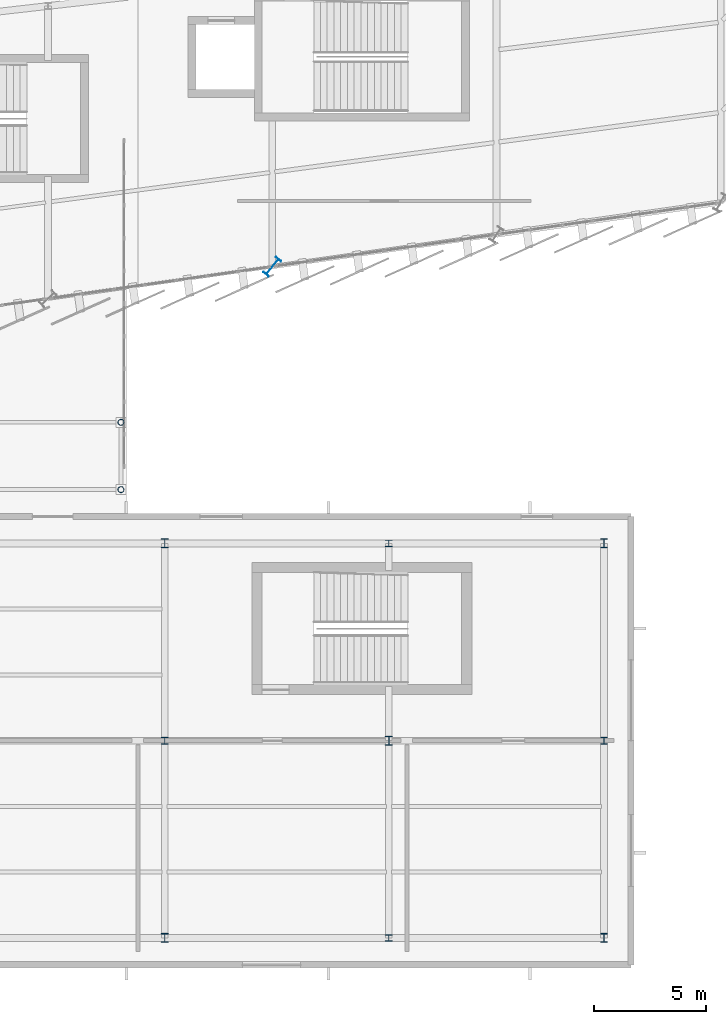
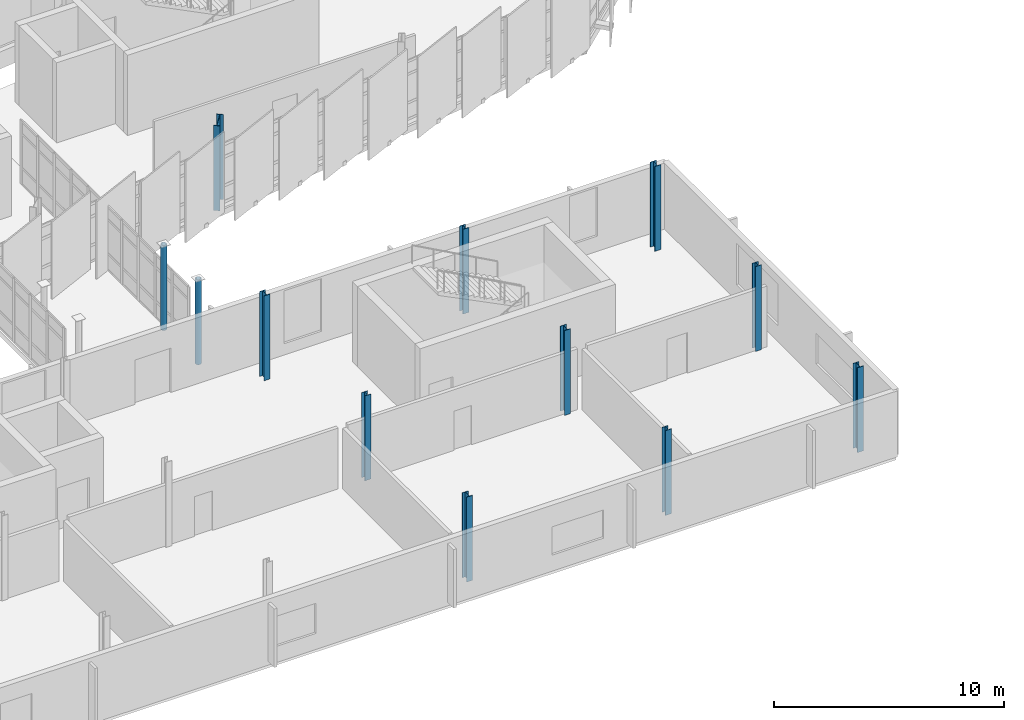
# One storey, part 17 of 134: 12 columns.
"""IFC4 building model written with IfcOpenShell, lengths in metres."""

import ifcopenshell
import ifcopenshell.guid

model = None  # the IFC model being written
_history = None  # IfcOwnerHistory: only IFC2X3 demands one
_inside = {}  # id of a spatial element -> (the spatial element, [elements in it])
_under = {}  # id of a project, library or spatial element -> (it, [spatial elements below it])
_declared = {}  # id of a project -> (the project, [libraries it declares])
_typed = {}  # id of a type object -> (the type object, [elements of that type])
_made_of = {}  # id of a material, layer set ... -> (it, [elements and type objects made of it])


def new_model(schema):
    """Start an empty IFC model of exactly this schema.

    Asked for "IFC4X3", IfcOpenShell would pick the latest addendum, in which some entities
    have other attributes; the version numbers below select the first issue.
    IFC2X3 requires an IfcOwnerHistory on every rooted entity: one is made here for all.
    """
    global model, _history
    if schema == "IFC4X3":
        model = ifcopenshell.file(schema_version=(4, 3, 0, 0))
    else:
        model = ifcopenshell.file(schema=schema)
    _inside.clear()
    _under.clear()
    _declared.clear()
    _typed.clear()
    _made_of.clear()
    _history = None
    if model.schema == "IFC2X3":
        org = make("IfcOrganization", Name="unknown")
        user = make(
            "IfcPersonAndOrganization",
            ThePerson=make("IfcPerson", FamilyName="unknown"),
            TheOrganization=org,
        )
        app = make(
            "IfcApplication",
            ApplicationDeveloper=org,
            Version="unknown",
            ApplicationFullName="unknown",
            ApplicationIdentifier="unknown",
        )
        _history = make(
            "IfcOwnerHistory",
            OwningUser=user,
            OwningApplication=app,
            ChangeAction="ADDED",
            CreationDate=0,
        )
    return model


def make(cls, **values):
    """One entity of the class cls with the attributes given. An attribute that is None is left unset."""
    return model.create_entity(
        cls, **{name: value for name, value in values.items() if value is not None}
    )


def rooted(cls, **values):
    """An entity with a GlobalId (a new one), such as an element, a storey or a relation."""
    return make(cls, GlobalId=ifcopenshell.guid.new(), OwnerHistory=_history, **values)


def si_unit(unit_type, name, prefix=None):
    """IfcSIUnit, for example si_unit("LENGTHUNIT", "METRE", prefix="MILLI")."""
    return make("IfcSIUnit", UnitType=unit_type, Prefix=prefix, Name=name)


def assignment(units):
    """IfcUnitAssignment: the units of a project."""
    return None if units is None else make("IfcUnitAssignment", Units=units)


def point(xyz):
    """IfcCartesianPoint."""
    return None if xyz is None else make("IfcCartesianPoint", Coordinates=xyz)


def direction(xyz):
    """IfcDirection."""
    return None if xyz is None else make("IfcDirection", DirectionRatios=xyz)


def frame(location, z_axis=None, x_axis=None):
    """IfcAxis2Placement3D, a coordinate frame: its origin and axes. An axis left out is left unset."""
    return make(
        "IfcAxis2Placement3D",
        Location=point(location),
        Axis=direction(z_axis),
        RefDirection=direction(x_axis),
    )


def frame_2d(location, x_axis=None):
    """IfcAxis2Placement2D, a coordinate frame in the plane: its origin and x axis."""
    return make(
        "IfcAxis2Placement2D", Location=point(location), RefDirection=direction(x_axis)
    )


def origin():
    """The frame at (0, 0, 0) with its axes left unset."""
    return frame((0.0, 0.0, 0.0))


def origin_2d():
    """The frame at (0, 0) in the plane with its x axis left unset."""
    return frame_2d((0.0, 0.0))


def place(relative_to, where):
    """IfcLocalPlacement: puts the frame where relative to a parent placement (None: the world)."""
    return make(
        "IfcLocalPlacement", PlacementRelTo=relative_to, RelativePlacement=where
    )


def context(
    kind, dimensions, precision=None, world=None, true_north=None, identifier=None
):
    """IfcGeometricRepresentationContext, for example the 3D "Model" context."""
    return make(
        "IfcGeometricRepresentationContext",
        ContextIdentifier=identifier,
        ContextType=kind,
        CoordinateSpaceDimension=dimensions,
        Precision=precision,
        WorldCoordinateSystem=world,
        TrueNorth=true_north,
    )


def subcontext(parent, identifier, kind, view, scale=None):
    """IfcGeometricRepresentationSubContext, for example "Body" below "Model"."""
    return make(
        "IfcGeometricRepresentationSubContext",
        ContextIdentifier=identifier,
        ContextType=kind,
        ParentContext=parent,
        TargetScale=scale,
        TargetView=view,
    )


def project(units=None, contexts=None):
    """IfcProject with its units and contexts."""
    return rooted(
        "IfcProject",
        Name="project",
        RepresentationContexts=contexts,
        UnitsInContext=assignment(units),
    )


def spatial(cls, under=None, at=None, **own):
    """A site, building, storey or space (cls), placed at a placement, below another one or the project."""
    s = rooted(cls, ObjectPlacement=at, **own)
    if under is not None:
        _under.setdefault(under.id(), (under, []))[1].append(s)
    return s


def profile(cls, at=None, kind="AREA", **sizes):
    """A parametric profile (cls). Its sizes go by their IFC names, for example OverallWidth=200.0."""
    return make(cls, ProfileType=kind, Position=at, **sizes)


def hollow_circle(**sizes):
    """IfcCircleHollowProfileDef."""
    return profile("IfcCircleHollowProfileDef", **sizes)


def i_section(**sizes):
    """IfcIShapeProfileDef."""
    return profile("IfcIShapeProfileDef", **sizes)


def extrude(swept, where, along, depth):
    """IfcExtrudedAreaSolid: the profile swept, set in the frame where, extruded along a direction by depth."""
    return make(
        "IfcExtrudedAreaSolid",
        SweptArea=swept,
        Position=where,
        ExtrudedDirection=direction(along),
        Depth=depth,
    )


def shape(context_of_items, identifier, shape_type, items):
    """IfcShapeRepresentation: the items that make up one representation, for example the "Body"."""
    return make(
        "IfcShapeRepresentation",
        ContextOfItems=context_of_items,
        RepresentationIdentifier=identifier,
        RepresentationType=shape_type,
        Items=items,
    )


def material(Name=None, Category=None):
    """IfcMaterial."""
    return make("IfcMaterial", Name=Name, Category=Category)


def material_profile(
    of_material, cross_section, Name=None, Category=None, Priority=None
):
    """IfcMaterialProfile: a cross section and its material."""
    return make(
        "IfcMaterialProfile",
        Name=Name,
        Material=of_material,
        Profile=cross_section,
        Priority=Priority,
        Category=Category,
    )


def profile_set(profiles, Name=None, composite=None):
    """IfcMaterialProfileSet."""
    return make(
        "IfcMaterialProfileSet",
        Name=Name,
        MaterialProfiles=profiles,
        CompositeProfile=composite,
    )


def made_of(thing, what):
    """Note that an element or type object is made of a material, layer set ...; save() writes the relation."""
    if what is not None:
        _made_of.setdefault(what.id(), (what, []))[1].append(thing)
    return thing


def type_object(cls, material=None, **own):
    """A type object (cls), such as IfcWallType, which elements share."""
    return made_of(rooted(cls, **own), material)


def element(
    cls,
    number,
    at=None,
    inside=None,
    cuts=None,
    type_object=None,
    material=None,
    context=None,
    identifier="Body",
    shape_type=None,
    held_by="IfcProductDefinitionShape",
    body=None,
    shapes=None,
    **own,
):
    """One element of the class cls, such as IfcWall. Its Tag is "e" and its number.

    at: its placement. inside: the storey or other place that contains it. cuts: it is an
    opening in that element (IfcRelVoidsElement). A single representation is given by context,
    identifier, shape_type and body (its items); several are given by shapes. held_by: the class
    of the entity that holds the representations. save() writes the other relations.
    """
    e = rooted(cls, Tag="e%d" % number, ObjectPlacement=at, **own)
    if body is not None:
        shapes = [shape(context, identifier, shape_type, body)]
    if shapes is not None:
        e.Representation = make(held_by, Representations=shapes)
    if inside is not None:
        _inside.setdefault(inside.id(), (inside, []))[1].append(e)
    if cuts is not None:
        rooted(
            "IfcRelVoidsElement", RelatingBuildingElement=cuts, RelatedOpeningElement=e
        )
    if type_object is not None:
        _typed.setdefault(type_object.id(), (type_object, []))[1].append(e)
    return made_of(e, material)


def aggregate(whole, parts):
    """IfcRelAggregates: a whole, such as a stair, and the parts it consists of."""
    return rooted("IfcRelAggregates", RelatingObject=whole, RelatedObjects=parts)


def save(model, path):
    """Write the relations noted so far, then the file.

    IfcRelAggregates (storeys below a building ...), IfcRelContainedInSpatialStructure (elements
    in a storey), IfcRelDefinesByType, IfcRelAssociatesMaterial and IfcRelDeclares: one each for
    every whole, place, type object, material and project.
    """
    for whole, parts in _under.values():
        aggregate(whole, parts)
    for where, things in _inside.values():
        rooted(
            "IfcRelContainedInSpatialStructure",
            RelatedElements=things,
            RelatingStructure=where,
        )
    for kind, things in _typed.values():
        rooted("IfcRelDefinesByType", RelatedObjects=things, RelatingType=kind)
    for what, things in _made_of.values():
        rooted("IfcRelAssociatesMaterial", RelatedObjects=things, RelatingMaterial=what)
    for by, libraries in _declared.values():
        rooted("IfcRelDeclares", RelatingContext=by, RelatedDefinitions=libraries)
    model.write(path)


model = new_model("IFC4")

# Units and contexts
model_context = context("Model", 3, precision=1e-05, world=origin(), true_north=direction((0.0, 1.0)))
body_context = subcontext(model_context, "Body", "Model", "MODEL_VIEW")
ifc_project = project(units=[si_unit("LENGTHUNIT", "METRE"), si_unit("AREAUNIT", "SQUARE_METRE"), si_unit("VOLUMEUNIT", "CUBIC_METRE"), si_unit("PLANEANGLEUNIT", "RADIAN"), si_unit("MASSUNIT", "GRAM", prefix="KILO")], contexts=[model_context])

# Site, building, storey
site_placement = place(None, origin())
site = spatial("IfcSite", under=ifc_project, at=site_placement, CompositionType="ELEMENT")
building_placement = place(site_placement, origin())
building = spatial("IfcBuilding", under=site, at=building_placement, Name="Sohan Crest Arena", CompositionType="ELEMENT")
storey_placement = place(building_placement, frame((0.0, 0.0, 4.5)))
storey = spatial("IfcBuildingStorey", under=building, at=storey_placement, Name="L01", CompositionType="ELEMENT", Elevation=4.5)

# Columns
ifc_material = material(Name="Steel S355", Category="steel")
ifc_material_profile_1 = material_profile(ifc_material, i_section(OverallWidth=0.300048828125, OverallDepth=0.300048828125, WebThickness=0.010986328125, FlangeThickness=0.01904296875, at=origin_2d()), Name="HEB 300")
ifc_profile_set_1 = profile_set([ifc_material_profile_1], Name="Steel S355")
column_type_1 = type_object("IfcColumnType", Name="STR-COL-C17", PredefinedType="COLUMN", material=ifc_profile_set_1)
for number, where, z_axis, x_axis, name in (
    (1, (143.199951171875, 16.0, 0.0), (0.0, 0.0, 1.0), (1.0, 0.0, 0.0), "Structural column COL-V5C-08-2-L01"),
    (2, (153.199951171875, 7.199951171875, 0.0), (0.0, 0.0, 1.0), (1.0, 0.0, 0.0), "Structural column COL-V5C-09-1-L01"),
    (3, (153.199951171875, 24.800048828125, 0.0), (0.0, 0.0, 1.0), (1.0, 0.0, 0.0), "Structural column COL-V5C-09-3-L01"),
    (4, (162.800048828125, 16.0, 0.0), (0.0, 0.0, 1.0), (1.0, 0.0, 0.0), "Structural column COL-V5C-10-2-L01"),
):
    element("IfcColumn", number, at=place(storey_placement, frame(where, z_axis=z_axis, x_axis=x_axis)), inside=storey, type_object=column_type_1, Name=name, PredefinedType="COLUMN", context=body_context, shape_type="SweptSolid", body=[
        extrude(i_section(OverallWidth=0.300048828125, OverallDepth=0.300048828125, WebThickness=0.010986328125, FlangeThickness=0.01904296875, at=origin_2d()), origin(), (0.0, 0.0, 1.0), 4.5),
    ])
ifc_material_profile_2 = material_profile(ifc_material, i_section(OverallWidth=0.300048828125, OverallDepth=0.39990234375, WebThickness=0.013427734375, FlangeThickness=0.02392578125, at=origin_2d()), Name="HEB 400")
ifc_profile_set_2 = profile_set([ifc_material_profile_2], Name="Steel S355")
column_type_2 = type_object("IfcColumnType", Name="STR-COL-C18", PredefinedType="COLUMN", material=ifc_profile_set_2)
for number, where, z_axis, x_axis, name in (
    (5, (143.199951171875, 7.199951171875, 0.0), (0.0, 0.0, 1.0), (1.0, 0.0, 0.0), "Structural column COL-V5C-08-1-L01"),
    (6, (143.199951171875, 24.800048828125, 0.0), (0.0, 0.0, 1.0), (1.0, 0.0, 0.0), "Structural column COL-V5C-08-3-L01"),
    (7, (153.199951171875, 16.0, 0.0), (0.0, 0.0, 1.0), (1.0, 0.0, 0.0), "Structural column COL-V5C-09-2-L01"),
    (8, (162.800048828125, 7.199951171875, 0.0), (0.0, 0.0, 1.0), (1.0, 0.0, 0.0), "Structural column COL-V5C-10-1-L01"),
    (9, (162.800048828125, 24.800048828125, 0.0), (0.0, 0.0, 1.0), (1.0, 0.0, 0.0), "Structural column COL-V5C-10-3-L01"),
):
    element("IfcColumn", number, at=place(storey_placement, frame(where, z_axis=z_axis, x_axis=x_axis)), inside=storey, type_object=column_type_2, Name=name, PredefinedType="COLUMN", context=body_context, shape_type="SweptSolid", body=[
        extrude(i_section(OverallWidth=0.300048828125, OverallDepth=0.39990234375, WebThickness=0.013427734375, FlangeThickness=0.02392578125, at=origin_2d()), origin(), (0.0, 0.0, 1.0), 4.5),
    ])
ifc_material_profile_3 = material_profile(ifc_material, i_section(OverallWidth=0.300048828125, OverallDepth=0.89990234375, WebThickness=0.0185546875, FlangeThickness=0.034912109375, at=origin_2d()), Name="HEB 900")
ifc_profile_set_3 = profile_set([ifc_material_profile_3], Name="Steel S355")
column_type_3 = type_object("IfcColumnType", Name="STR-COL-C23", PredefinedType="COLUMN", material=ifc_profile_set_3)
column_placement = place(storey_placement, frame((148.0, 37.14306640625, 0.0), z_axis=(0.0, 0.0, 1.0), x_axis=(-0.773840209727, 0.633380872628, 0.0)))
element("IfcColumn", 10, at=column_placement, inside=storey, type_object=column_type_3, Name="Structural column COL-V2O-18-L01", PredefinedType="COLUMN", context=body_context, shape_type="SweptSolid", body=[
    extrude(i_section(OverallWidth=0.300048828125, OverallDepth=0.89990234375, WebThickness=0.0185546875, FlangeThickness=0.034912109375, at=origin_2d()), origin(), (0.0, 0.0, 1.0), 4.5),
])
ifc_material_profile_4 = material_profile(ifc_material, hollow_circle(Radius=0.136474609375, WallThickness=0.012451171875, at=origin_2d()), Name="CHS 273x12.5")
ifc_profile_set_4 = profile_set([ifc_material_profile_4], Name="Steel S355")
column_type_4 = type_object("IfcColumnType", Name="STR-COL-C25", PredefinedType="COLUMN", material=ifc_profile_set_4)
for number, where, z_axis, x_axis, name in (
    (11, (141.25, 27.199951171875, 0.0), (0.0, 0.0, 1.0), (1.0, 0.0, 0.0), "Structural column COL-BC-BR-S2-3-L01"),
    (12, (141.25, 30.199951171875, 0.0), (0.0, 0.0, 1.0), (1.0, 0.0, 0.0), "Structural column COL-BC-BR-S2-4-L01"),
):
    element("IfcColumn", number, at=place(storey_placement, frame(where, z_axis=z_axis, x_axis=x_axis)), inside=storey, type_object=column_type_4, Name=name, PredefinedType="COLUMN", context=body_context, shape_type="SweptSolid", body=[
        extrude(hollow_circle(Radius=0.136474609375, WallThickness=0.012451171875, at=origin_2d()), origin(), (0.0, 0.0, 1.0), 4.5),
    ])

save(model, "model.ifc")
